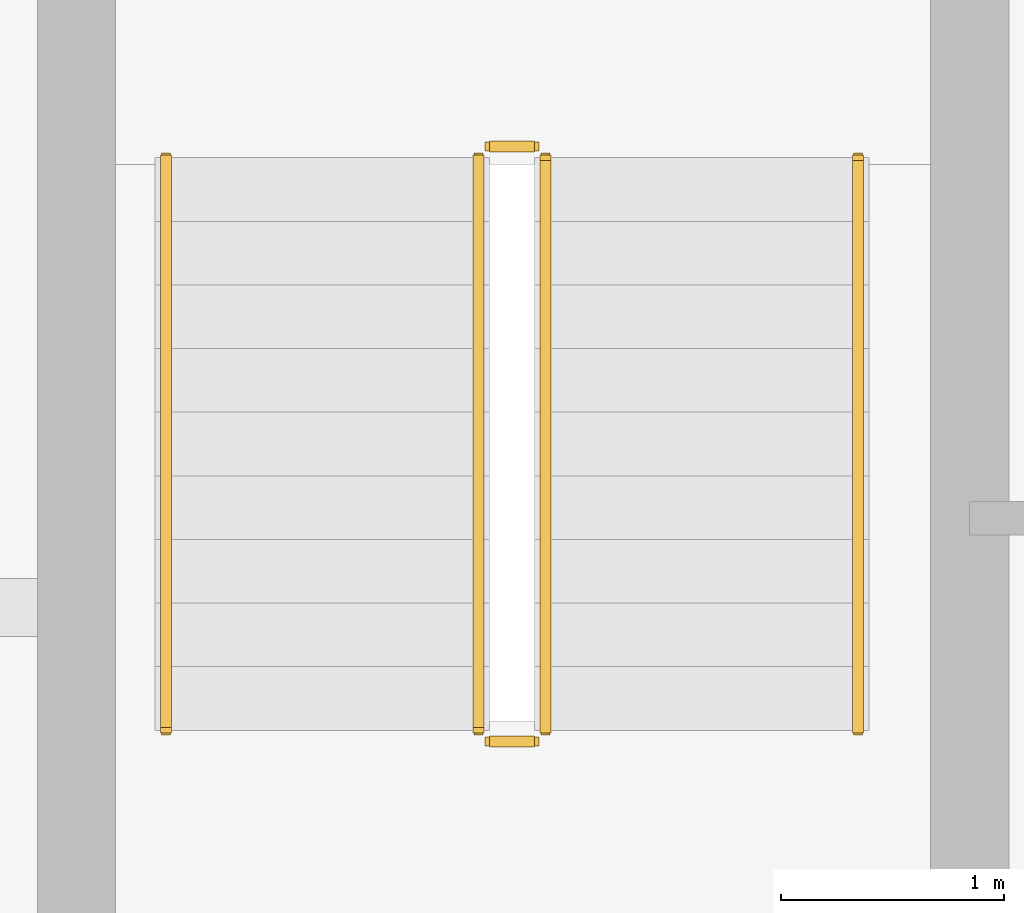
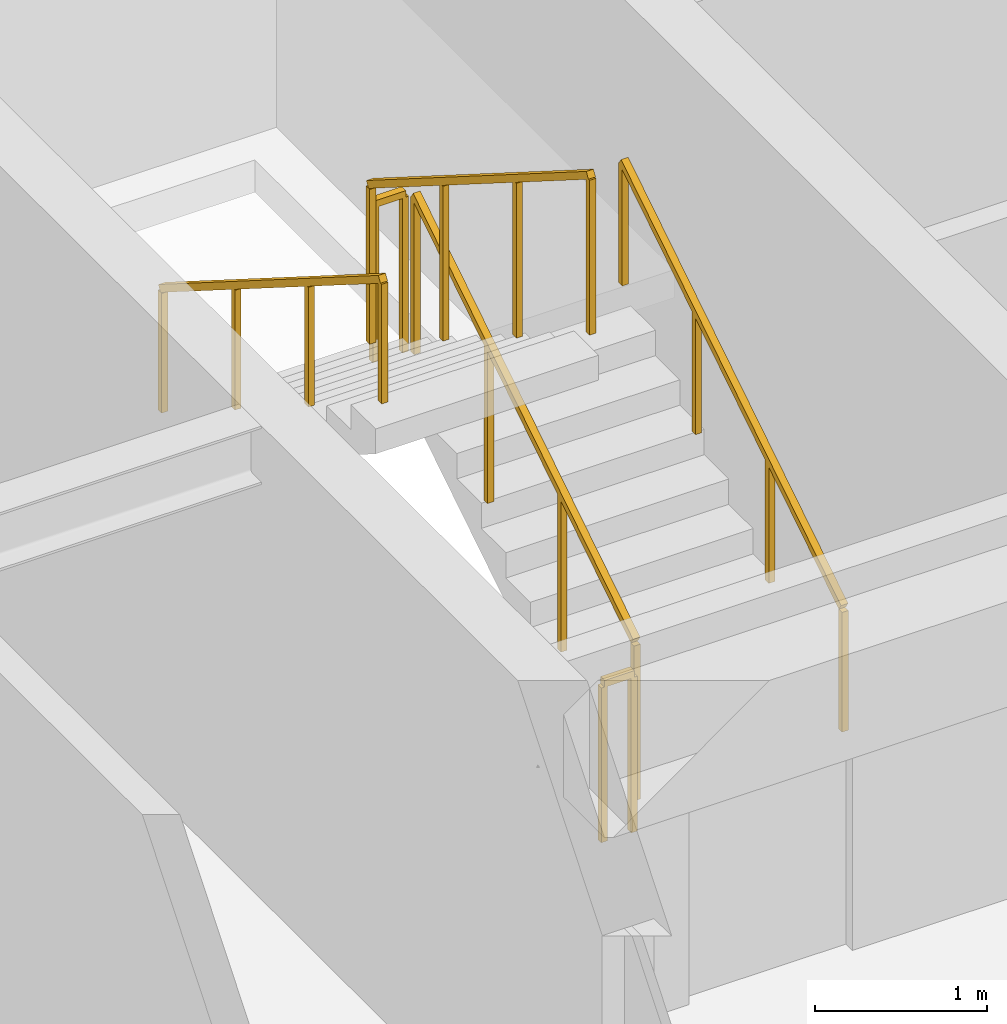
# One storey, part 20 of 22: 6 railings.
"""IFC4 building model written with IfcOpenShell, lengths in metres."""

import ifcopenshell
import ifcopenshell.guid

model = None  # the IFC model being written
_history = None  # IfcOwnerHistory: only IFC2X3 demands one
_inside = {}  # id of a spatial element -> (the spatial element, [elements in it])
_under = {}  # id of a project, library or spatial element -> (it, [spatial elements below it])
_declared = {}  # id of a project -> (the project, [libraries it declares])
_typed = {}  # id of a type object -> (the type object, [elements of that type])
_made_of = {}  # id of a material, layer set ... -> (it, [elements and type objects made of it])


def new_model(schema):
    """Start an empty IFC model of exactly this schema.

    Asked for "IFC4X3", IfcOpenShell would pick the latest addendum, in which some entities
    have other attributes; the version numbers below select the first issue.
    IFC2X3 requires an IfcOwnerHistory on every rooted entity: one is made here for all.
    """
    global model, _history
    if schema == "IFC4X3":
        model = ifcopenshell.file(schema_version=(4, 3, 0, 0))
    else:
        model = ifcopenshell.file(schema=schema)
    _inside.clear()
    _under.clear()
    _declared.clear()
    _typed.clear()
    _made_of.clear()
    _history = None
    if model.schema == "IFC2X3":
        org = make("IfcOrganization", Name="unknown")
        user = make(
            "IfcPersonAndOrganization",
            ThePerson=make("IfcPerson", FamilyName="unknown"),
            TheOrganization=org,
        )
        app = make(
            "IfcApplication",
            ApplicationDeveloper=org,
            Version="unknown",
            ApplicationFullName="unknown",
            ApplicationIdentifier="unknown",
        )
        _history = make(
            "IfcOwnerHistory",
            OwningUser=user,
            OwningApplication=app,
            ChangeAction="ADDED",
            CreationDate=0,
        )
    return model


def make(cls, **values):
    """One entity of the class cls with the attributes given. An attribute that is None is left unset."""
    return model.create_entity(
        cls, **{name: value for name, value in values.items() if value is not None}
    )


def rooted(cls, **values):
    """An entity with a GlobalId (a new one), such as an element, a storey or a relation."""
    return make(cls, GlobalId=ifcopenshell.guid.new(), OwnerHistory=_history, **values)


def si_unit(unit_type, name, prefix=None):
    """IfcSIUnit, for example si_unit("LENGTHUNIT", "METRE", prefix="MILLI")."""
    return make("IfcSIUnit", UnitType=unit_type, Prefix=prefix, Name=name)


def assignment(units):
    """IfcUnitAssignment: the units of a project."""
    return None if units is None else make("IfcUnitAssignment", Units=units)


def point(xyz):
    """IfcCartesianPoint."""
    return None if xyz is None else make("IfcCartesianPoint", Coordinates=xyz)


def direction(xyz):
    """IfcDirection."""
    return None if xyz is None else make("IfcDirection", DirectionRatios=xyz)


def frame(location, z_axis=None, x_axis=None):
    """IfcAxis2Placement3D, a coordinate frame: its origin and axes. An axis left out is left unset."""
    return make(
        "IfcAxis2Placement3D",
        Location=point(location),
        Axis=direction(z_axis),
        RefDirection=direction(x_axis),
    )


def frame_2d(location, x_axis=None):
    """IfcAxis2Placement2D, a coordinate frame in the plane: its origin and x axis."""
    return make(
        "IfcAxis2Placement2D", Location=point(location), RefDirection=direction(x_axis)
    )


def origin():
    """The frame at (0, 0, 0) with its axes left unset."""
    return frame((0.0, 0.0, 0.0))


def origin_2d():
    """The frame at (0, 0) in the plane with its x axis left unset."""
    return frame_2d((0.0, 0.0))


def place(relative_to, where):
    """IfcLocalPlacement: puts the frame where relative to a parent placement (None: the world)."""
    return make(
        "IfcLocalPlacement", PlacementRelTo=relative_to, RelativePlacement=where
    )


def context(
    kind, dimensions, precision=None, world=None, true_north=None, identifier=None
):
    """IfcGeometricRepresentationContext, for example the 3D "Model" context."""
    return make(
        "IfcGeometricRepresentationContext",
        ContextIdentifier=identifier,
        ContextType=kind,
        CoordinateSpaceDimension=dimensions,
        Precision=precision,
        WorldCoordinateSystem=world,
        TrueNorth=true_north,
    )


def subcontext(parent, identifier, kind, view, scale=None):
    """IfcGeometricRepresentationSubContext, for example "Body" below "Model"."""
    return make(
        "IfcGeometricRepresentationSubContext",
        ContextIdentifier=identifier,
        ContextType=kind,
        ParentContext=parent,
        TargetScale=scale,
        TargetView=view,
    )


def project(units=None, contexts=None):
    """IfcProject with its units and contexts."""
    return rooted(
        "IfcProject",
        Name="project",
        RepresentationContexts=contexts,
        UnitsInContext=assignment(units),
    )


def spatial(cls, under=None, at=None, **own):
    """A site, building, storey or space (cls), placed at a placement, below another one or the project."""
    s = rooted(cls, ObjectPlacement=at, **own)
    if under is not None:
        _under.setdefault(under.id(), (under, []))[1].append(s)
    return s


def profile(cls, at=None, kind="AREA", **sizes):
    """A parametric profile (cls). Its sizes go by their IFC names, for example OverallWidth=200.0."""
    return make(cls, ProfileType=kind, Position=at, **sizes)


def rectangle(**sizes):
    """IfcRectangleProfileDef."""
    return profile("IfcRectangleProfileDef", **sizes)


def extrude(swept, where, along, depth):
    """IfcExtrudedAreaSolid: the profile swept, set in the frame where, extruded along a direction by depth."""
    return make(
        "IfcExtrudedAreaSolid",
        SweptArea=swept,
        Position=where,
        ExtrudedDirection=direction(along),
        Depth=depth,
    )


def shape(context_of_items, identifier, shape_type, items):
    """IfcShapeRepresentation: the items that make up one representation, for example the "Body"."""
    return make(
        "IfcShapeRepresentation",
        ContextOfItems=context_of_items,
        RepresentationIdentifier=identifier,
        RepresentationType=shape_type,
        Items=items,
    )


def material(Name=None, Category=None):
    """IfcMaterial."""
    return make("IfcMaterial", Name=Name, Category=Category)


def made_of(thing, what):
    """Note that an element or type object is made of a material, layer set ...; save() writes the relation."""
    if what is not None:
        _made_of.setdefault(what.id(), (what, []))[1].append(thing)
    return thing


def type_object(cls, material=None, **own):
    """A type object (cls), such as IfcWallType, which elements share."""
    return made_of(rooted(cls, **own), material)


def element(
    cls,
    number,
    at=None,
    inside=None,
    cuts=None,
    type_object=None,
    material=None,
    context=None,
    identifier="Body",
    shape_type=None,
    held_by="IfcProductDefinitionShape",
    body=None,
    shapes=None,
    **own,
):
    """One element of the class cls, such as IfcWall. Its Tag is "e" and its number.

    at: its placement. inside: the storey or other place that contains it. cuts: it is an
    opening in that element (IfcRelVoidsElement). A single representation is given by context,
    identifier, shape_type and body (its items); several are given by shapes. held_by: the class
    of the entity that holds the representations. save() writes the other relations.
    """
    e = rooted(cls, Tag="e%d" % number, ObjectPlacement=at, **own)
    if body is not None:
        shapes = [shape(context, identifier, shape_type, body)]
    if shapes is not None:
        e.Representation = make(held_by, Representations=shapes)
    if inside is not None:
        _inside.setdefault(inside.id(), (inside, []))[1].append(e)
    if cuts is not None:
        rooted(
            "IfcRelVoidsElement", RelatingBuildingElement=cuts, RelatedOpeningElement=e
        )
    if type_object is not None:
        _typed.setdefault(type_object.id(), (type_object, []))[1].append(e)
    return made_of(e, material)


def aggregate(whole, parts):
    """IfcRelAggregates: a whole, such as a stair, and the parts it consists of."""
    return rooted("IfcRelAggregates", RelatingObject=whole, RelatedObjects=parts)


def save(model, path):
    """Write the relations noted so far, then the file.

    IfcRelAggregates (storeys below a building ...), IfcRelContainedInSpatialStructure (elements
    in a storey), IfcRelDefinesByType, IfcRelAssociatesMaterial and IfcRelDeclares: one each for
    every whole, place, type object, material and project.
    """
    for whole, parts in _under.values():
        aggregate(whole, parts)
    for where, things in _inside.values():
        rooted(
            "IfcRelContainedInSpatialStructure",
            RelatedElements=things,
            RelatingStructure=where,
        )
    for kind, things in _typed.values():
        rooted("IfcRelDefinesByType", RelatedObjects=things, RelatingType=kind)
    for what, things in _made_of.values():
        rooted("IfcRelAssociatesMaterial", RelatedObjects=things, RelatingMaterial=what)
    for by, libraries in _declared.values():
        rooted("IfcRelDeclares", RelatingContext=by, RelatedDefinitions=libraries)
    model.write(path)


model = new_model("IFC4")

# Units and contexts
model_context = context("Model", 3, precision=1e-05, world=origin(), true_north=direction((0.0, 1.0)))
body_context = subcontext(model_context, "Body", "Model", "MODEL_VIEW")
ifc_project = project(units=[si_unit("LENGTHUNIT", "METRE"), si_unit("AREAUNIT", "SQUARE_METRE"), si_unit("VOLUMEUNIT", "CUBIC_METRE"), si_unit("PLANEANGLEUNIT", "RADIAN"), si_unit("MASSUNIT", "GRAM", prefix="KILO")], contexts=[model_context])

# Site, building, storey
site_placement = place(None, origin())
site = spatial("IfcSite", under=ifc_project, at=site_placement, CompositionType="ELEMENT")
building_placement = place(site_placement, origin())
building = spatial("IfcBuilding", under=site, at=building_placement, Name="Sarneth Arch Tower", CompositionType="ELEMENT")
storey_placement = place(building_placement, frame((0.0, 0.0, 291.0)))
storey = spatial("IfcBuildingStorey", under=building, at=storey_placement, Name="L75", CompositionType="ELEMENT", Elevation=291.0)

# Railings
ifc_material_1 = material(Name="Brushed Stainless Steel 304 tubular handrail", Category="steel")
railing_type_1 = type_object("IfcRailingType", Name="RAIL-HANDRAIL-900", PredefinedType="HANDRAIL", material=ifc_material_1)
railing_1_placement = place(storey_placement, frame((40.5, 41.449951171875, 0.179931640625)))
element("IfcRailing", 1, at=railing_1_placement, inside=storey, type_object=railing_type_1, Name="L75 ST-1 stair handrail 1", PredefinedType="HANDRAIL", context=body_context, shape_type="SweptSolid", body=[
    extrude(rectangle(XDim=0.048095703125, YDim=0.048095703125, at=origin_2d()), frame((0.0, 0.0, 0.8759765625), z_axis=(0.0, 0.845465955043, 0.534029323973), x_axis=(-1.0, 0.0, 0.0)), (0.0, 0.0, 1.0), 3.03369140625),
    extrude(rectangle(XDim=0.0419921875, YDim=0.0419921875, at=origin_2d()), origin(), (0.0, 0.0, 1.0), 0.851806640625),
    extrude(rectangle(XDim=0.0419921875, YDim=0.0419921875, at=origin_2d()), frame((0.0, 0.85498046875, 0.5400390625)), (0.0, 0.0, 1.0), 0.851806640625),
    extrude(rectangle(XDim=0.0419921875, YDim=0.0419921875, at=origin_2d()), frame((0.0, 1.7099609375, 1.080078125)), (0.0, 0.0, 1.0), 0.851806640625),
    extrude(rectangle(XDim=0.0419921875, YDim=0.0419921875, at=origin_2d()), frame((0.0, 2.56494140625, 1.6201171875)), (0.0, 0.0, 1.0), 0.851806640625),
])
railing_2_placement = place(storey_placement, frame((37.39990234375, 44.014892578125, 1.97998046875)))
element("IfcRailing", 2, at=railing_2_placement, inside=storey, type_object=railing_type_1, Name="L75 ST-1 stair handrail 2", PredefinedType="HANDRAIL", context=body_context, shape_type="SweptSolid", body=[
    extrude(rectangle(XDim=0.048095703125, YDim=0.048095703125, at=origin_2d()), frame((0.0, 0.0, 0.8759765625), z_axis=(0.0, -0.845465955043, 0.534029323973), x_axis=(1.0, 0.0, 0.0)), (0.0, 0.0, 1.0), 3.03369140625),
    extrude(rectangle(XDim=0.0419921875, YDim=0.0419921875, at=origin_2d()), origin(), (0.0, 0.0, 1.0), 0.851806640625),
    extrude(rectangle(XDim=0.0419921875, YDim=0.0419921875, at=origin_2d()), frame((0.0, -0.85498046875, 0.5400390625)), (0.0, 0.0, 1.0), 0.851806640625),
    extrude(rectangle(XDim=0.0419921875, YDim=0.0419921875, at=origin_2d()), frame((0.0, -1.7099609375, 1.080078125)), (0.0, 0.0, 1.0), 0.851806640625),
    extrude(rectangle(XDim=0.0419921875, YDim=0.0419921875, at=origin_2d()), frame((0.0, -2.56494140625, 1.6201171875)), (0.0, 0.0, 1.0), 0.851806640625),
])
ifc_material_2 = material(Name="Painted Steel S275 stair well guard", Category="steel")
railing_type_2 = type_object("IfcRailingType", Name="RAIL-STAIR-GUARD", PredefinedType="GUARDRAIL", material=ifc_material_2)
railing_3_placement = place(storey_placement, frame((39.10009765625, 41.449951171875, 0.179931640625)))
element("IfcRailing", 3, at=railing_3_placement, inside=storey, type_object=railing_type_2, Name="L75 ST-1 stair guard 1", PredefinedType="GUARDRAIL", context=body_context, shape_type="SweptSolid", body=[
    extrude(rectangle(XDim=0.048095703125, YDim=0.048095703125, at=origin_2d()), frame((0.0, 0.0, 1.1259765625), z_axis=(0.0, 0.845465955043, 0.534029323973), x_axis=(-1.0, 0.0, 0.0)), (0.0, 0.0, 1.0), 3.03369140625),
    extrude(rectangle(XDim=0.0419921875, YDim=0.0419921875, at=origin_2d()), origin(), (0.0, 0.0, 1.0), 1.101806640625),
    extrude(rectangle(XDim=0.0419921875, YDim=0.0419921875, at=origin_2d()), frame((0.0, 0.85498046875, 0.5400390625)), (0.0, 0.0, 1.0), 1.101806640625),
    extrude(rectangle(XDim=0.0419921875, YDim=0.0419921875, at=origin_2d()), frame((0.0, 1.7099609375, 1.080078125)), (0.0, 0.0, 1.0), 1.101806640625),
    extrude(rectangle(XDim=0.0419921875, YDim=0.0419921875, at=origin_2d()), frame((0.0, 2.56494140625, 1.6201171875)), (0.0, 0.0, 1.0), 1.101806640625),
])
railing_4_placement = place(storey_placement, frame((39.050048828125, 44.06494140625, 1.800048828125)))
element("IfcRailing", 4, at=railing_4_placement, inside=storey, type_object=railing_type_2, Name="L75 ST-1 stair guard 2", PredefinedType="GUARDRAIL", context=body_context, shape_type="SweptSolid", body=[
    extrude(rectangle(XDim=0.048095703125, YDim=0.048095703125, at=origin_2d()), frame((0.0, 0.0, 1.1259765625), z_axis=(-1.0, 0.0, 0.0), x_axis=(0.0, -1.0, 0.0)), (0.0, 0.0, 1.0), 0.199951171875),
    extrude(rectangle(XDim=0.0419921875, YDim=0.0419921875, at=origin_2d()), origin(), (0.0, 0.0, 1.0), 1.101806640625),
    extrude(rectangle(XDim=0.0419921875, YDim=0.0419921875, at=origin_2d()), frame((-0.199951171875, 0.0, 0.0)), (0.0, 0.0, 1.0), 1.101806640625),
])
railing_5_placement = place(storey_placement, frame((38.800048828125, 44.014892578125, 1.97998046875)))
element("IfcRailing", 5, at=railing_5_placement, inside=storey, type_object=railing_type_2, Name="L75 ST-1 stair guard 3", PredefinedType="GUARDRAIL", context=body_context, shape_type="SweptSolid", body=[
    extrude(rectangle(XDim=0.048095703125, YDim=0.048095703125, at=origin_2d()), frame((0.0, 0.0, 1.1259765625), z_axis=(0.0, -0.845465955043, 0.534029323973), x_axis=(1.0, 0.0, 0.0)), (0.0, 0.0, 1.0), 3.03369140625),
    extrude(rectangle(XDim=0.0419921875, YDim=0.0419921875, at=origin_2d()), origin(), (0.0, 0.0, 1.0), 1.101806640625),
    extrude(rectangle(XDim=0.0419921875, YDim=0.0419921875, at=origin_2d()), frame((0.0, -0.85498046875, 0.5400390625)), (0.0, 0.0, 1.0), 1.101806640625),
    extrude(rectangle(XDim=0.0419921875, YDim=0.0419921875, at=origin_2d()), frame((0.0, -1.7099609375, 1.080078125)), (0.0, 0.0, 1.0), 1.101806640625),
    extrude(rectangle(XDim=0.0419921875, YDim=0.0419921875, at=origin_2d()), frame((0.0, -2.56494140625, 1.6201171875)), (0.0, 0.0, 1.0), 1.101806640625),
])
railing_6_placement = place(storey_placement, frame((39.050048828125, 41.39990234375, 0.0)))
element("IfcRailing", 6, at=railing_6_placement, inside=storey, type_object=railing_type_2, Name="L75 ST-1 stair guard 4", PredefinedType="GUARDRAIL", context=body_context, shape_type="SweptSolid", body=[
    extrude(rectangle(XDim=0.048095703125, YDim=0.048095703125, at=origin_2d()), frame((0.0, 0.0, 1.1259765625), z_axis=(-1.0, 0.0, 0.0), x_axis=(0.0, -1.0, 0.0)), (0.0, 0.0, 1.0), 0.199951171875),
    extrude(rectangle(XDim=0.0419921875, YDim=0.0419921875, at=origin_2d()), origin(), (0.0, 0.0, 1.0), 1.101806640625),
    extrude(rectangle(XDim=0.0419921875, YDim=0.0419921875, at=origin_2d()), frame((-0.199951171875, 0.0, 0.0)), (0.0, 0.0, 1.0), 1.101806640625),
])

save(model, "model.ifc")
